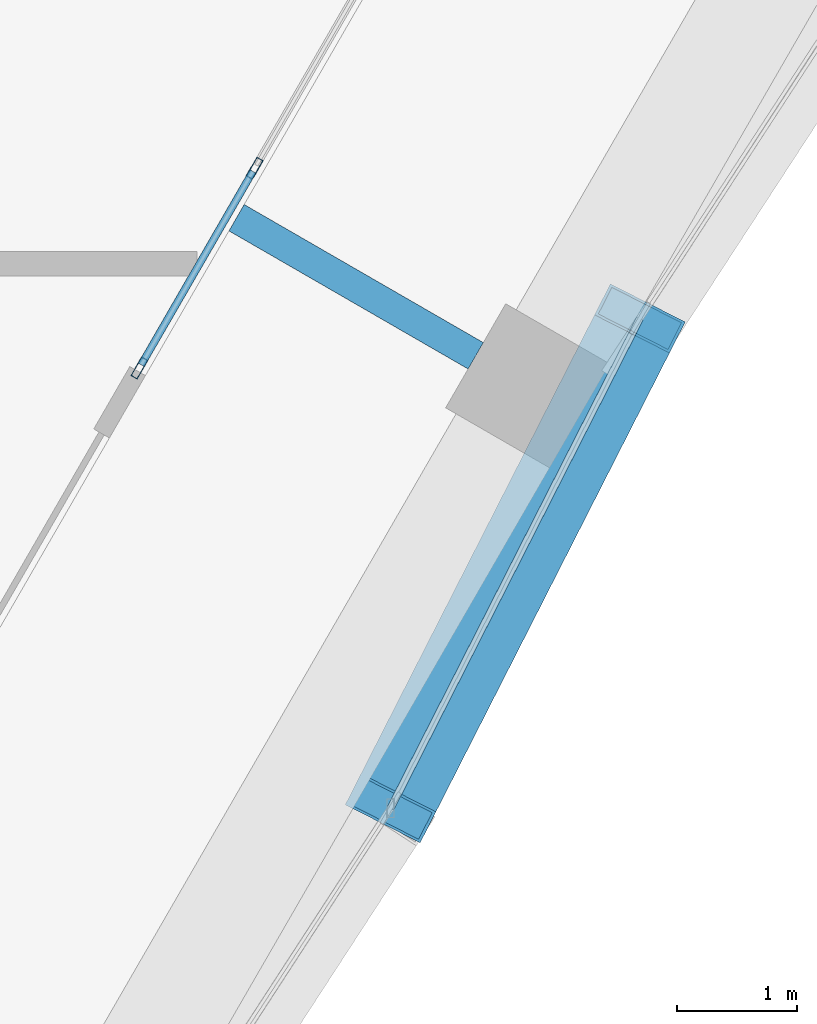
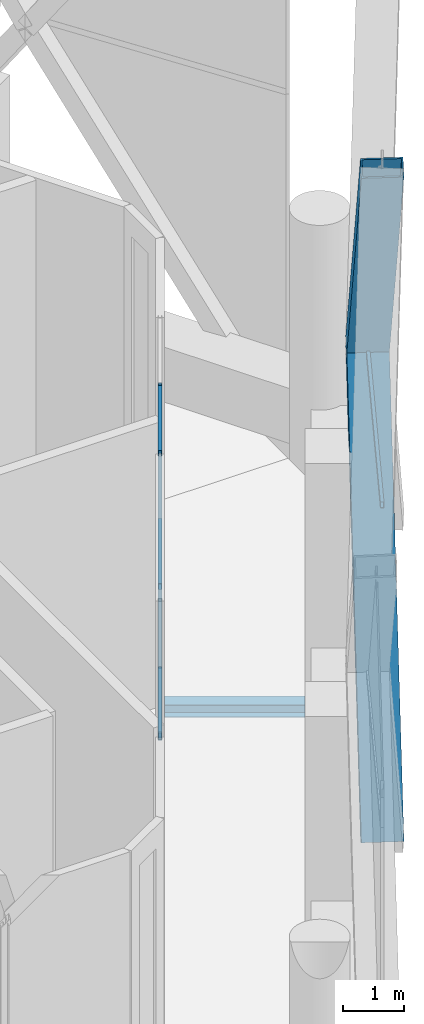
# One storey, part 22 of 43: 8 members, 1 beam, 2 elements without a shape of their own.
"""IFC4 building model written with IfcOpenShell, lengths in metres."""

from ifc_helpers import new_model, si_unit, direction, frame, origin, origin_2d, place, context, subcontext, project, spatial, hollow_rectangle, i_section, extrude, material, material_profile, profile_set, type_object, element, aggregate, save


model = new_model("IFC4")

# Units and contexts
model_context = context("Model", 3, precision=1e-05, world=origin(), true_north=direction((0.0, 1.0)))
body_context = subcontext(model_context, "Body", "Model", "MODEL_VIEW")
ifc_project = project(units=[si_unit("LENGTHUNIT", "METRE"), si_unit("AREAUNIT", "SQUARE_METRE"), si_unit("VOLUMEUNIT", "CUBIC_METRE"), si_unit("PLANEANGLEUNIT", "RADIAN"), si_unit("MASSUNIT", "GRAM", prefix="KILO")], contexts=[model_context])

# Site, building, storey
site_placement = place(None, origin())
site = spatial("IfcSite", under=ifc_project, at=site_placement, CompositionType="ELEMENT")
building_placement = place(site_placement, origin())
building = spatial("IfcBuilding", under=site, at=building_placement, Name="Ostrander Bayou Hotel Tower", CompositionType="ELEMENT")
storey_placement = place(building_placement, frame((0.0, 0.0, 151.0)))
storey = spatial("IfcBuildingStorey", under=building, at=storey_placement, Name="L37", CompositionType="ELEMENT", Elevation=151.0)

# Curtain wall, member
ifc_material_1 = material(Name="Aluminium and clear glass", Category="aluminium")
curtain_wall_type_1 = type_object("IfcCurtainWallType", Name="CW-LAT lattice glazing", PredefinedType="NOTDEFINED", material=ifc_material_1)
curtain_wall_1_placement = place(storey_placement, origin())
curtain_wall_1 = element("IfcCurtainWall", 1, at=curtain_wall_1_placement, inside=storey, type_object=curtain_wall_type_1, Name="CW-LAT L37 SE 2", PredefinedType="NOTDEFINED")
ifc_material_2 = material(Name="Aluminium", Category="aluminium")
ifc_material_profile_1 = material_profile(ifc_material_2, hollow_rectangle(XDim=0.06005859375, YDim=0.1201171875, WallThickness=0.00390625, at=origin_2d()))
ifc_profile_set_1 = profile_set([ifc_material_profile_1], Name="Aluminium")
member_type_1 = type_object("IfcMemberType", Name="CW-LA transom 60 x 120 mm", PredefinedType="USERDEFINED", material=ifc_profile_set_1)
member_1_placement = place(storey_placement, frame((16.51513671875, -9.534912109375, 6.14990234375), z_axis=(0.453580617967, 0.891215250658, 0.0), x_axis=(-0.891215250658, 0.453580617967, 0.0)))
member_1 = element("IfcMember", 2, at=member_1_placement, type_object=member_type_1, Name="CW-LAT transom 7", ObjectType="TRANSOM", PredefinedType="USERDEFINED", context=body_context, shape_type="SweptSolid", body=[
    extrude(hollow_rectangle(XDim=0.06005859375, YDim=0.1201171875, WallThickness=0.00390625, at=origin_2d()), origin(), (0.0, 0.0, 1.0), 4.577880859375),
])
aggregate(curtain_wall_1, [member_1])

# Curtain wall, members
ifc_material_3 = material(Name="Aluminium and clear glass", Category="aluminium")
curtain_wall_type_2 = type_object("IfcCurtainWallType", Name="CW-SKY amenity glass wall", PredefinedType="NOTDEFINED", material=ifc_material_3)
curtain_wall_2_placement = place(storey_placement, origin())
curtain_wall_2 = element("IfcCurtainWall", 3, at=curtain_wall_2_placement, inside=storey, type_object=curtain_wall_type_2, Name="CW-SKY L37 SE 3", PredefinedType="NOTDEFINED")
ifc_material_4 = material(Name="Aluminium", Category="aluminium")
ifc_material_profile_2 = material_profile(ifc_material_4, hollow_rectangle(XDim=0.06005859375, YDim=0.179931640625, WallThickness=0.00390625, at=origin_2d()))
ifc_profile_set_2 = profile_set([ifc_material_profile_2], Name="Aluminium")
member_type_2 = type_object("IfcMemberType", Name="CW-SK mullion 60 x 180 mm", PredefinedType="MULLION", material=ifc_profile_set_2)
member_2_placement = place(storey_placement, frame((14.42333984375, -5.867919921875, 0.0), z_axis=(0.0, 0.0, 1.0), x_axis=(-0.866025463091, 0.499999897278, 0.0)))
member_2 = element("IfcMember", 4, at=member_2_placement, type_object=member_type_2, Name="CW-SKY mullion 1", PredefinedType="MULLION", context=body_context, shape_type="SweptSolid", body=[
    extrude(hollow_rectangle(XDim=0.06005859375, YDim=0.179931640625, WallThickness=0.00390625, at=origin_2d()), origin(), (0.0, 0.0, 1.0), 5.699951171875),
])
member_3_placement = place(storey_placement, frame((15.38330078125, -4.205078125, 0.0), z_axis=(0.0, 0.0, 1.0), x_axis=(-0.866025463091, 0.499999897278, 0.0)))
member_3 = element("IfcMember", 5, at=member_3_placement, type_object=member_type_2, Name="CW-SKY mullion 2", PredefinedType="MULLION", context=body_context, shape_type="SweptSolid", body=[
    extrude(hollow_rectangle(XDim=0.06005859375, YDim=0.179931640625, WallThickness=0.00390625, at=origin_2d()), origin(), (0.0, 0.0, 1.0), 5.699951171875),
])
ifc_material_5 = material(Name="Aluminium", Category="aluminium")
ifc_material_profile_3 = material_profile(ifc_material_5, hollow_rectangle(XDim=0.06005859375, YDim=0.1201171875, WallThickness=0.00390625, at=origin_2d()))
ifc_profile_set_3 = profile_set([ifc_material_profile_3], Name="Aluminium")
member_type_3 = type_object("IfcMemberType", Name="CW-SK transom 60 x 120 mm", PredefinedType="USERDEFINED", material=ifc_profile_set_3)
member_4_placement = place(storey_placement, frame((14.4384765625, -5.841796875, 0.030029296875), z_axis=(0.499964847546, 0.866045698112, 0.0), x_axis=(-0.866045698112, 0.499964847546, 0.0)))
member_4 = element("IfcMember", 6, at=member_4_placement, type_object=member_type_3, Name="CW-SKY transom 1.1", ObjectType="TRANSOM", PredefinedType="USERDEFINED", context=body_context, shape_type="SweptSolid", body=[
    extrude(hollow_rectangle(XDim=0.06005859375, YDim=0.1201171875, WallThickness=0.00390625, at=origin_2d()), origin(), (0.0, 0.0, 1.0), 1.860107421875),
])
member_5_placement = place(storey_placement, frame((14.4384765625, -5.841796875, 3.0), z_axis=(0.499964847546, 0.866045698112, 0.0), x_axis=(-0.866045698112, 0.499964847546, 0.0)))
member_5 = element("IfcMember", 7, at=member_5_placement, type_object=member_type_3, Name="CW-SKY transom 1.2", ObjectType="TRANSOM", PredefinedType="USERDEFINED", context=body_context, shape_type="SweptSolid", body=[
    extrude(hollow_rectangle(XDim=0.06005859375, YDim=0.1201171875, WallThickness=0.00390625, at=origin_2d()), origin(), (0.0, 0.0, 1.0), 1.860107421875),
])
member_6_placement = place(storey_placement, frame((14.4384765625, -5.841796875, 5.669921875), z_axis=(0.499964847546, 0.866045698112, 0.0), x_axis=(-0.866045698112, 0.499964847546, 0.0)))
member_6 = element("IfcMember", 8, at=member_6_placement, type_object=member_type_3, Name="CW-SKY transom 1.3", ObjectType="TRANSOM", PredefinedType="USERDEFINED", context=body_context, shape_type="SweptSolid", body=[
    extrude(hollow_rectangle(XDim=0.06005859375, YDim=0.1201171875, WallThickness=0.00390625, at=origin_2d()), origin(), (0.0, 0.0, 1.0), 1.860107421875),
])
aggregate(curtain_wall_2, [member_2, member_3, member_4, member_5, member_6])

# Beam
ifc_material_6 = material(Name="Steel ASTM A992", Category="steel")
ifc_material_profile_4 = material_profile(ifc_material_6, i_section(OverallWidth=0.25390625, OverallDepth=0.25341796875, WebThickness=0.008544921875, FlangeThickness=0.01416015625, at=origin_2d()))
ifc_profile_set_4 = profile_set([ifc_material_profile_4], Name="Steel ASTM A992")
beam_type = type_object("IfcBeamType", Name="LB2 loggia bracket W10x49", PredefinedType="BEAM", material=ifc_profile_set_4)
beam_placement = place(storey_placement, frame((17.224365234375, -5.7666015625, -0.4267578125), z_axis=(-0.866053019151, 0.499952165731, 0.0), x_axis=(-0.499952165731, -0.866053019151, 0.0)))
element("IfcBeam", 9, at=beam_placement, inside=storey, type_object=beam_type, Name="LB2 L37 SE2", PredefinedType="BEAM", context=body_context, shape_type="SweptSolid", body=[
    extrude(i_section(OverallWidth=0.25390625, OverallDepth=0.25341796875, WebThickness=0.008544921875, FlangeThickness=0.01416015625, at=origin_2d()), origin(), (0.0, 0.0, 1.0), 2.300048828125),
])

# Members
ifc_material_7 = material(Name="Steel ASTM A572 Gr 50", Category="steel")
ifc_material_profile_5 = material_profile(ifc_material_7, hollow_rectangle(XDim=0.699951171875, YDim=0.35009765625, WallThickness=0.02490234375, at=origin_2d()))
ifc_profile_set_5 = profile_set([ifc_material_profile_5], Name="Steel ASTM A572 Gr 50")
member_type_4 = type_object("IfcMemberType", Name="LT1 lattice member box 700 x 350 x 25 mm", PredefinedType="BRACE", material=ifc_profile_set_5)
for number, where, z_axis, x_axis, name in (
    (10, (18.591552734375, -5.455078125, 6.14990234375), (-0.25459000804, -0.500229703041, -0.827619581693), (0.891215250658, -0.453580617967, 0.0), "LT1 L37 SE 5"),
    (11, (18.591552734375, -5.455078125, 6.14990234375), (-0.25459000804, -0.500229703041, 0.827619581693), (0.891215250658, -0.453580617967, 0.0), "LT1 L37 SE 6"),
):
    element("IfcMember", number, at=place(storey_placement, frame(where, z_axis=z_axis, x_axis=x_axis)), inside=storey, type_object=member_type_4, Name=name, PredefinedType="BRACE", context=body_context, shape_type="SweptSolid", body=[
        extrude(hollow_rectangle(XDim=0.699951171875, YDim=0.35009765625, WallThickness=0.02490234375, at=origin_2d()), origin(), (0.0, 0.0, 1.0), 8.156005859375),
    ])

save(model, "model.ifc")
